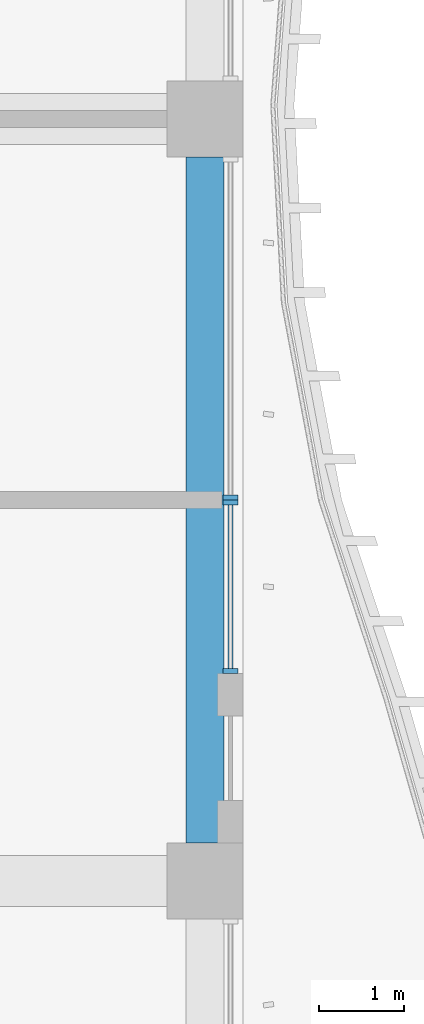
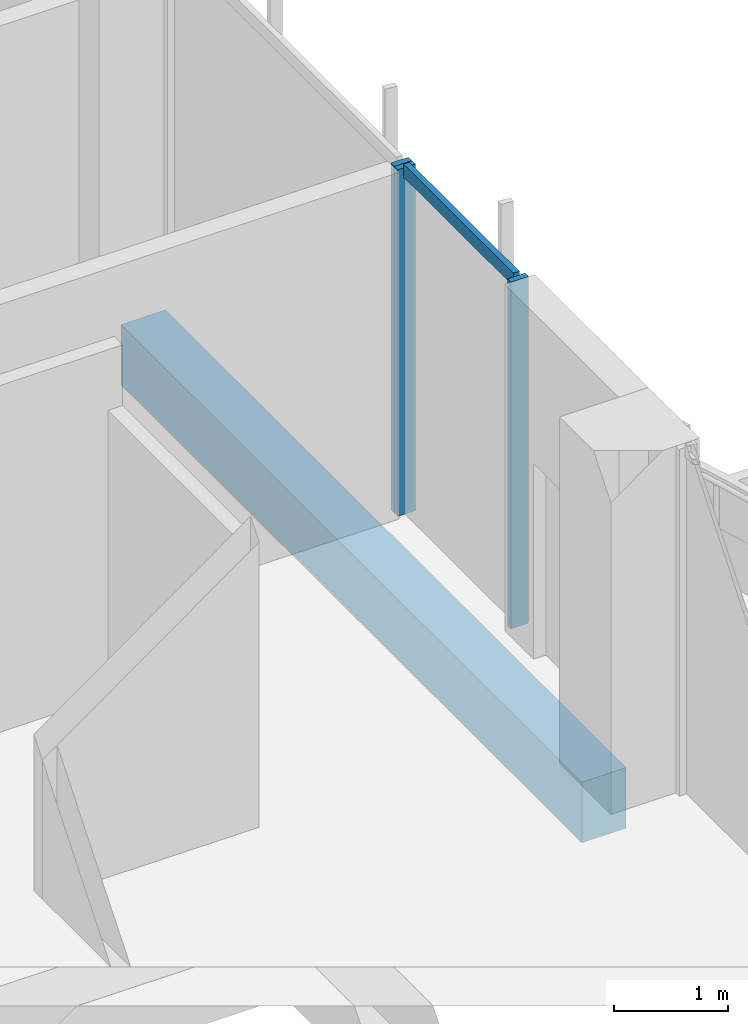
# One storey, part 8 of 28: 4 members, 1 beam, 2 elements without a shape of their own.
"""IFC4 building model written with IfcOpenShell, lengths in metres."""

from ifc_helpers import new_model, si_unit, direction, frame, origin, origin_2d, place, context, subcontext, project, spatial, rectangle, extrude, source, transform, mapped, material, material_profile, profile_set, type_object, element, aggregate, save


model = new_model("IFC4")

# Units and contexts
model_context = context("Model", 3, precision=1e-05, world=origin(), true_north=direction((0.0, 1.0)))
body_context = subcontext(model_context, "Body", "Model", "MODEL_VIEW")
ifc_project = project(units=[si_unit("LENGTHUNIT", "METRE"), si_unit("AREAUNIT", "SQUARE_METRE"), si_unit("VOLUMEUNIT", "CUBIC_METRE"), si_unit("PLANEANGLEUNIT", "RADIAN"), si_unit("MASSUNIT", "GRAM", prefix="KILO")], contexts=[model_context])

# Site, building, storey
site_placement = place(None, origin())
site = spatial("IfcSite", under=ifc_project, at=site_placement, CompositionType="ELEMENT")
building_placement = place(site_placement, origin())
building = spatial("IfcBuilding", under=site, at=building_placement, Name="Kilnfold Tower and Market Hall", CompositionType="ELEMENT")
storey_placement = place(building_placement, frame((0.0, 0.0, 87.199951171875)))
storey = spatial("IfcBuildingStorey", under=building, at=storey_placement, Name="L20", CompositionType="ELEMENT", Elevation=87.199951171875)

# Beam
ifc_material_1 = material(Name="Concrete C45", Category="concrete")
ifc_material_profile_1 = material_profile(ifc_material_1, rectangle(XDim=0.449951171875, YDim=0.64990234375, at=origin_2d()), Name="RC 450x650")
ifc_profile_set_1 = profile_set([ifc_material_profile_1], Name="Concrete C45")
beam_type = type_object("IfcBeamType", Name="EDGE BEAM 450X650 C45", PredefinedType="BEAM", material=ifc_profile_set_1)
shared_shape_1 = source(origin(), body_context, "Body", "SweptSolid", [
    extrude(rectangle(XDim=0.449951171875, YDim=0.64990234375, at=origin_2d()), origin(), (0.0, 0.0, 1.0), 8.10009765625),
])
beam_placement = place(storey_placement, frame((32.550048828125, -0.550048828125, -0.60498046875), z_axis=(0.0, 1.0, 0.0), x_axis=(-1.0, 0.0, 0.0)))
element("IfcBeam", 1, at=beam_placement, inside=storey, type_object=beam_type, Name="Beam EB650-B2.102", PredefinedType="BEAM", context=body_context, shape_type="MappedRepresentation", body=[
    mapped(shared_shape_1, transform((0.0, 0.0, 0.0))),
])

# Curtain wall, members
ifc_material_2 = material(Name="Aluminium and double glazing", Category="aluminium")
curtain_wall_type = type_object("IfcCurtainWallType", Name="CW OF1 VALLEY GLAZING", PredefinedType="NOTDEFINED", material=ifc_material_2)
curtain_wall_1_placement = place(storey_placement, origin())
curtain_wall_1 = element("IfcCurtainWall", 2, at=curtain_wall_1_placement, inside=storey, type_object=curtain_wall_type, Name="Curtain wall CW1 L20 E", PredefinedType="NOTDEFINED")
ifc_material_3 = material(Name="Aluminium", Category="aluminium")
ifc_material_profile_2 = material_profile(ifc_material_3, rectangle(XDim=0.06005859375, YDim=0.179931640625, at=origin_2d()), Name="MULLION 60x180")
ifc_profile_set_2 = profile_set([ifc_material_profile_2], Name="Aluminium")
member_type_1 = type_object("IfcMemberType", Name="MULLION 60X180", PredefinedType="MULLION", material=ifc_profile_set_2)
shared_shape_2 = source(origin(), body_context, "Body", "SweptSolid", [
    extrude(rectangle(XDim=0.06005859375, YDim=0.179931640625, at=origin_2d()), origin(), (0.0, 0.0, 1.0), 3.719970703125),
])
member_1_placement = place(storey_placement, frame((32.85009765625, 1.47998046875, 0.0), z_axis=(0.0, 0.0, 1.0), x_axis=(0.0, 1.0, 0.0)))
member_1 = element("IfcMember", 3, at=member_1_placement, type_object=member_type_1, Name="CW1 mullion 1", PredefinedType="MULLION", context=body_context, shape_type="MappedRepresentation", body=[
    mapped(shared_shape_2, transform((0.0, 0.0, 0.0))),
])
member_2_placement = place(storey_placement, frame((32.85009765625, 3.469970703125, 0.0), z_axis=(0.0, 0.0, 1.0), x_axis=(0.0, 1.0, 0.0)))
member_2 = element("IfcMember", 4, at=member_2_placement, type_object=member_type_1, Name="CW1 mullion 2", PredefinedType="MULLION", context=body_context, shape_type="MappedRepresentation", body=[
    mapped(shared_shape_2, transform((0.0, 0.0, 0.0))),
])

# Curtain wall, member
curtain_wall_2_placement = place(storey_placement, origin())
curtain_wall_2 = element("IfcCurtainWall", 5, at=curtain_wall_2_placement, inside=storey, type_object=curtain_wall_type, Name="Curtain wall CW1 L20 E", PredefinedType="NOTDEFINED")
member_3_placement = place(storey_placement, frame((32.85009765625, 3.530029296875, 0.0), z_axis=(0.0, 0.0, 1.0), x_axis=(0.0, 1.0, 0.0)))
member_3 = element("IfcMember", 6, at=member_3_placement, type_object=member_type_1, Name="CW1 mullion 1", PredefinedType="MULLION", context=body_context, shape_type="MappedRepresentation", body=[
    mapped(shared_shape_2, transform((0.0, 0.0, 0.0))),
])
aggregate(curtain_wall_2, [member_3])

# Member
ifc_material_4 = material(Name="Aluminium", Category="aluminium")
ifc_material_profile_3 = material_profile(ifc_material_4, rectangle(XDim=0.06005859375, YDim=0.139892578125, at=origin_2d()), Name="TRANSOM 60x140")
ifc_profile_set_3 = profile_set([ifc_material_profile_3], Name="Aluminium")
member_type_2 = type_object("IfcMemberType", Name="TRANSOM 60X140", PredefinedType="USERDEFINED", material=ifc_profile_set_3)
shared_shape_3 = source(origin(), body_context, "Body", "SweptSolid", [
    extrude(rectangle(XDim=0.06005859375, YDim=0.139892578125, at=origin_2d()), origin(), (0.0, 0.0, 1.0), 1.929931640625),
])
member_4_placement = place(storey_placement, frame((32.85009765625, 1.510009765625, 3.68994140625), z_axis=(0.0, 1.0, 0.0), x_axis=(-1.0, 0.0, 0.0)))
member_4 = element("IfcMember", 7, at=member_4_placement, type_object=member_type_2, Name="CW1 transom 1.2", ObjectType="TRANSOM", PredefinedType="USERDEFINED", context=body_context, shape_type="MappedRepresentation", body=[
    mapped(shared_shape_3, transform((0.0, 0.0, 0.0))),
])

aggregate(curtain_wall_1, [member_1, member_2, member_4])

save(model, "model.ifc")
